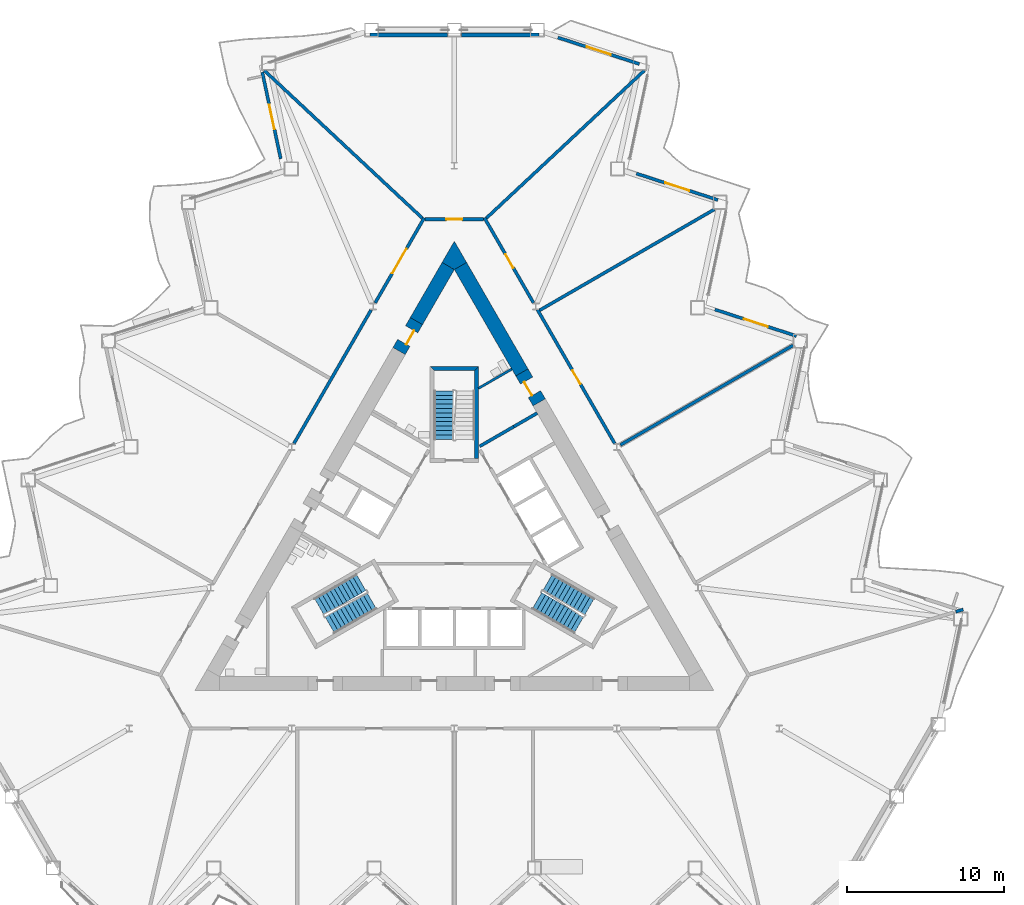
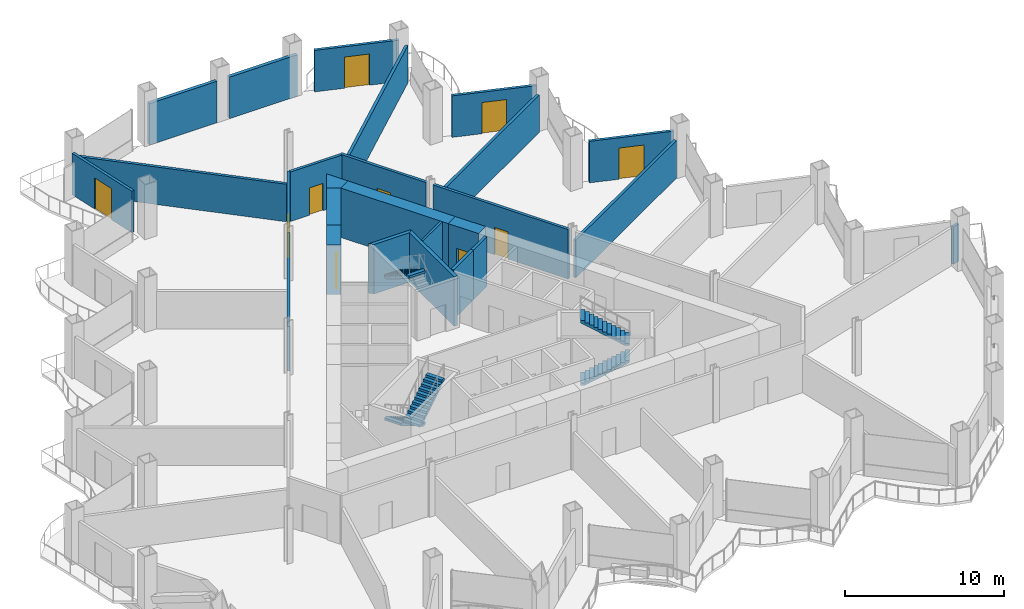
# One storey, part 13 of 21: 26 walls, 10 doors, 5 stair flights, 10 openings, 3 elements without a shape of their own.
"""IFC4 building model written with IfcOpenShell, lengths in metres."""

from ifc_helpers import new_model, si_unit, direction, frame, frame_2d, origin, place, context, subcontext, project, spatial, polyline, rectangle, outline, extrude, material, layer, layer_set, type_object, element, fill, aggregate, save


model = new_model("IFC4")

# Units and contexts
model_context = context("Model", 3, precision=1e-05, world=origin(), true_north=direction((0.0, 1.0)))
body_context = subcontext(model_context, "Body", "Model", "MODEL_VIEW")
ifc_project = project(units=[si_unit("LENGTHUNIT", "METRE"), si_unit("AREAUNIT", "SQUARE_METRE"), si_unit("VOLUMEUNIT", "CUBIC_METRE"), si_unit("PLANEANGLEUNIT", "RADIAN"), si_unit("MASSUNIT", "GRAM", prefix="KILO")], contexts=[model_context])

# Site, building, storey
site_placement = place(None, origin())
site = spatial("IfcSite", under=ifc_project, at=site_placement, CompositionType="ELEMENT")
building_placement = place(site_placement, origin())
building = spatial("IfcBuilding", under=site, at=building_placement, Name="Cormorant Prow Tower", CompositionType="ELEMENT")
storey_placement = place(building_placement, frame((0.0, 0.0, 108.0)))
storey = spatial("IfcBuildingStorey", under=building, at=storey_placement, Name="L22", CompositionType="ELEMENT", Elevation=108.0)

# Walls
ifc_material_1 = material(Name="Gypsum board partition")
ifc_layer_1 = layer(ifc_material_1, 0.14990234375)
ifc_layer_set_1 = layer_set([ifc_layer_1], Name="Gypsum board partition")
wall_type_1 = type_object("IfcWallType", Name="Core partition 150", PredefinedType="PARTITIONING", material=ifc_layer_set_1)
wall_1_placement = place(storey_placement, frame((3.654296875, 10.923095703125, 0.0), z_axis=(0.0, 0.0, 1.0), x_axis=(-0.865974546186, -0.5000880776, 0.0)))
element("IfcWall", 1, at=wall_1_placement, inside=storey, type_object=wall_type_1, Name="Service room partition", PredefinedType="PARTITIONING", context=body_context, shape_type="SweptSolid", body=[
    extrude(rectangle(XDim=2.44677734375, YDim=0.14990234375, at=frame_2d((1.223388671875, 0.0))), origin(), (0.0, 0.0, 1.0), 3.800048828125),
])
ifc_material_2 = material(Name="Concrete 8000 psi", Category="concrete")
ifc_layer_2 = layer(ifc_material_2, 0.89990234375)
ifc_layer_set_2 = layer_set([ifc_layer_2], Name="Concrete 8000 psi")
wall_type_2 = type_object("IfcWallType", Name="Core shear wall 900", PredefinedType="SHEAR", material=ifc_layer_set_2)
wall_2_placement = place(storey_placement, frame((4.2958984375, 10.7119140625, 0.0), z_axis=(0.0, 0.0, 1.0), x_axis=(-0.500011000363, 0.866019052629, 0.0)))
element("IfcWall", 2, at=wall_2_placement, inside=storey, type_object=wall_type_2, Name="Core wall", PredefinedType="SHEAR", context=body_context, shape_type="SweptSolid", body=[
    extrude(rectangle(XDim=7.812255859375, YDim=0.89990234375, at=frame_2d((3.90625, 0.0))), origin(), (0.0, 0.0, 1.0), 3.800048828125),
])
wall_3_placement = place(storey_placement, frame((-0.3896484375, 17.4775390625, 0.0), z_axis=(0.0, 0.0, 1.0), x_axis=(-0.500046330384, -0.865998653272, 0.0)))
element("IfcWall", 3, at=wall_3_placement, inside=storey, type_object=wall_type_2, Name="Core wall", PredefinedType="SHEAR", context=body_context, shape_type="SweptSolid", body=[
    extrude(rectangle(XDim=4.04541015625, YDim=0.89990234375, at=frame_2d((2.022705078125, 0.0))), origin(), (0.0, 0.0, 1.0), 3.800048828125),
])
wall_4_placement = place(storey_placement, origin())
element("IfcWall", 4, at=wall_4_placement, inside=storey, type_object=wall_type_2, Name="Core wall corner", PredefinedType="SHEAR", context=body_context, shape_type="SweptSolid", body=[
    extrude(outline(polyline([(-0.779296875, 17.70263671875), (0.0, 19.052490234375), (0.779296875, 17.70263671875), (0.0, 17.252685546875), (-0.779296875, 17.70263671875)])), origin(), (0.0, 0.0, 1.0), 3.800048828125),
])

# Wall, opening, door
wall_5_placement = place(storey_placement, frame((5.39599609375, 8.806396484375, 0.0), z_axis=(0.0, 0.0, 1.0), x_axis=(-0.499981787252, 0.866035918664, 0.0)))
wall_5 = element("IfcWall", 5, at=wall_5_placement, inside=storey, type_object=wall_type_2, Name="Core wall door panel", PredefinedType="SHEAR", context=body_context, shape_type="SweptSolid", body=[
    extrude(rectangle(XDim=2.2001953125, YDim=0.89990234375, at=frame_2d((1.10009765625, 0.0))), origin(), (0.0, 0.0, 1.0), 3.800048828125),
])
opening_1_placement = place(wall_5_placement, frame((0.60009765625, 0.0, 0.0)))
opening_1 = element("IfcOpeningElement", 6, at=opening_1_placement, cuts=wall_5, Name="Opening L22-C22", PredefinedType="OPENING", context=body_context, shape_type="SweptSolid", body=[
    extrude(rectangle(XDim=1.0, YDim=2.10009765625, at=frame_2d((0.5, 1.050048828125))), frame((0.0, 0.4599609375, 0.0), z_axis=(0.0, -1.0, 0.0), x_axis=(1.0, 0.0, 0.0)), (0.0, 0.0, 1.0), 0.919921875),
])
ifc_material_3 = material(Name="Painted steel", Category="steel")
door_type_1 = type_object("IfcDoorType", Name="Service door 1000x2100", OperationType="NOTDEFINED", PredefinedType="DOOR", material=ifc_material_3)
door_1_placement = place(opening_1_placement, origin())
door_1 = element("IfcDoor", 7, at=door_1_placement, inside=storey, type_object=door_type_1, Name="Core door, Mechanical riser room", OperationType="SINGLE_SWING_LEFT", OverallHeight=2.10009765625, OverallWidth=1.0, PredefinedType="DOOR", context=body_context, shape_type="SweptSolid", body=[
    extrude(rectangle(XDim=1.0, YDim=2.10009765625, at=frame_2d((0.5, 1.050048828125))), frame((0.0, 0.205078125, 0.0), z_axis=(0.0, -1.0, 0.0), x_axis=(1.0, 0.0, 0.0)), (0.0, 0.0, 1.0), 0.050048828125),
])
fill(opening_1, door_1)

wall_6_placement = place(storey_placement, frame((-2.41259765625, 13.97412109375, 0.0), z_axis=(0.0, 0.0, 1.0), x_axis=(-0.499946605688, -0.86605622881, 0.0)))
wall_6 = element("IfcWall", 8, at=wall_6_placement, inside=storey, type_object=wall_type_2, Name="Core wall door panel", PredefinedType="SHEAR", context=body_context, shape_type="SweptSolid", body=[
    extrude(rectangle(XDim=2.199951171875, YDim=0.89990234375, at=frame_2d((1.10009765625, 0.0))), origin(), (0.0, 0.0, 1.0), 3.800048828125),
])
opening_2_placement = place(wall_6_placement, frame((0.60009765625, 0.0, 0.0)))
opening_2 = element("IfcOpeningElement", 9, at=opening_2_placement, cuts=wall_6, Name="Opening L22-C23", PredefinedType="OPENING", context=body_context, shape_type="SweptSolid", body=[
    extrude(rectangle(XDim=1.0, YDim=2.10009765625, at=frame_2d((0.5, 1.050048828125))), frame((0.0, 0.4599609375, 0.0), z_axis=(0.0, -1.0, 0.0), x_axis=(1.0, 0.0, 0.0)), (0.0, 0.0, 1.0), 0.919921875),
])
door_2_placement = place(opening_2_placement, origin())
door_2 = element("IfcDoor", 10, at=door_2_placement, inside=storey, type_object=door_type_1, Name="Core door, Toilets (men) L22", OperationType="SINGLE_SWING_LEFT", OverallHeight=2.10009765625, OverallWidth=1.0, PredefinedType="DOOR", context=body_context, shape_type="SweptSolid", body=[
    extrude(rectangle(XDim=1.0, YDim=2.10009765625, at=frame_2d((0.5, 1.050048828125))), frame((0.0, 0.205078125, 0.0), z_axis=(0.0, -1.0, 0.0), x_axis=(1.0, 0.0, 0.0)), (0.0, 0.0, 1.0), 0.050048828125),
])
fill(opening_2, door_2)

# Wall
ifc_material_4 = material(Name="Gypsum board corridor wall")
ifc_layer_3 = layer(ifc_material_4, 0.199951171875)
ifc_layer_set_3 = layer_set([ifc_layer_3], Name="Gypsum board corridor wall")
wall_type_3 = type_object("IfcWallType", Name="Corridor wall 200", PredefinedType="PARTITIONING", material=ifc_layer_set_3)
wall_7_placement = place(storey_placement, frame((-10.197265625, 6.1904296875, 0.0), z_axis=(0.0, 0.0, 1.0), x_axis=(0.500012035596, 0.866018454918, 0.0)))
element("IfcWall", 11, at=wall_7_placement, inside=storey, type_object=wall_type_3, Name="Corridor wall", PredefinedType="PARTITIONING", context=body_context, shape_type="SweptSolid", body=[
    extrude(rectangle(XDim=9.803466796875, YDim=0.199951171875, at=frame_2d((4.90185546875, 0.0))), origin(), (0.0, 0.0, 1.0), 3.800048828125),
])

# Wall, opening, door
wall_8_placement = place(storey_placement, frame((5.28076171875, 14.7060546875, 0.0), z_axis=(0.0, 0.0, 1.0), x_axis=(0.500000421045, -0.866025160694, 0.0)))
wall_8 = element("IfcWall", 12, at=wall_8_placement, inside=storey, type_object=wall_type_3, Name="Corridor wall", PredefinedType="PARTITIONING", context=body_context, shape_type="SweptSolid", body=[
    extrude(rectangle(XDim=9.8330078125, YDim=0.199951171875, at=frame_2d((4.91650390625, 0.0))), origin(), (0.0, 0.0, 1.0), 3.800048828125),
])
opening_3_placement = place(wall_8_placement, frame((4.466552734375, 0.0, 0.0)))
opening_3 = element("IfcOpeningElement", 13, at=opening_3_placement, cuts=wall_8, Name="Opening L22-F09", PredefinedType="OPENING", context=body_context, shape_type="SweptSolid", body=[
    extrude(rectangle(XDim=1.0, YDim=2.10009765625, at=frame_2d((0.5, 1.050048828125))), frame((0.0, 0.10986328125, 0.0), z_axis=(0.0, -1.0, 0.0), x_axis=(1.0, 0.0, 0.0)), (0.0, 0.0, 1.0), 0.219970703125),
])
ifc_material_5 = material(Name="Timber door leaf", Category="wood")
door_type_2 = type_object("IfcDoorType", Name="Office door 1000x2100", OperationType="NOTDEFINED", PredefinedType="DOOR", material=ifc_material_5)
door_3_placement = place(opening_3_placement, origin())
door_3 = element("IfcDoor", 14, at=door_3_placement, inside=storey, type_object=door_type_2, Name="Open-plan office door", OperationType="SINGLE_SWING_LEFT", OverallHeight=2.10009765625, OverallWidth=1.0, PredefinedType="DOOR", context=body_context, shape_type="SweptSolid", body=[
    extrude(rectangle(XDim=1.0, YDim=2.10009765625, at=frame_2d((0.5, 1.050048828125))), frame((0.0, 0.02490234375, 0.0), z_axis=(0.0, -1.0, 0.0), x_axis=(1.0, 0.0, 0.0)), (0.0, 0.0, 1.0), 0.050048828125),
])
fill(opening_3, door_3)

wall_9_placement = place(storey_placement, frame((-5.032958984375, 15.13525390625, 0.0), z_axis=(0.0, 0.0, 1.0), x_axis=(0.499980978912, 0.866036385336, 0.0)))
wall_9 = element("IfcWall", 15, at=wall_9_placement, inside=storey, type_object=wall_type_3, Name="Corridor wall", PredefinedType="PARTITIONING", context=body_context, shape_type="SweptSolid", body=[
    extrude(rectangle(XDim=6.239990234375, YDim=0.199951171875, at=frame_2d((3.1201171875, 0.0))), origin(), (0.0, 0.0, 1.0), 3.800048828125),
])
opening_4_placement = place(wall_9_placement, frame((2.16943359375, 0.0, 0.0)))
opening_4 = element("IfcOpeningElement", 16, at=opening_4_placement, cuts=wall_9, Name="Opening L22-F12", PredefinedType="OPENING", context=body_context, shape_type="SweptSolid", body=[
    extrude(rectangle(XDim=1.800048828125, YDim=2.10009765625, at=frame_2d((0.89990234375, 1.050048828125))), frame((0.0, 0.10986328125, 0.0), z_axis=(0.0, -1.0, 0.0), x_axis=(1.0, 0.0, 0.0)), (0.0, 0.0, 1.0), 0.219970703125),
])
ifc_material_6 = material(Name="Timber door leaf", Category="wood")
door_type_3 = type_object("IfcDoorType", Name="Double door 1800x2100", OperationType="DOUBLE_DOOR_SINGLE_SWING", PredefinedType="DOOR", material=ifc_material_6)
door_4_placement = place(opening_4_placement, origin())
door_4 = element("IfcDoor", 17, at=door_4_placement, inside=storey, type_object=door_type_3, Name="Open-plan office door", OperationType="DOUBLE_DOOR_SINGLE_SWING", OverallHeight=2.10009765625, OverallWidth=1.800048828125, PredefinedType="DOOR", context=body_context, shape_type="SweptSolid", body=[
    extrude(rectangle(XDim=1.800048828125, YDim=2.10009765625, at=frame_2d((0.89990234375, 1.050048828125))), frame((0.0, 0.02490234375, 0.0), z_axis=(0.0, -1.0, 0.0), x_axis=(1.0, 0.0, 0.0)), (0.0, 0.0, 1.0), 0.050048828125),
])
fill(opening_4, door_4)

wall_10_placement = place(storey_placement, frame((1.9130859375, 20.539306640625, 0.0), z_axis=(0.0, 0.0, 1.0), x_axis=(0.499980978912, -0.866036385336, 0.0)))
wall_10 = element("IfcWall", 18, at=wall_10_placement, inside=storey, type_object=wall_type_3, Name="Corridor wall", PredefinedType="PARTITIONING", context=body_context, shape_type="SweptSolid", body=[
    extrude(rectangle(XDim=6.239990234375, YDim=0.199951171875, at=frame_2d((3.1201171875, 0.0))), origin(), (0.0, 0.0, 1.0), 3.800048828125),
])
opening_5_placement = place(wall_10_placement, frame((2.67041015625, 0.0, 0.0)))
opening_5 = element("IfcOpeningElement", 19, at=opening_5_placement, cuts=wall_10, Name="Opening L22-F10", PredefinedType="OPENING", context=body_context, shape_type="SweptSolid", body=[
    extrude(rectangle(XDim=1.0, YDim=2.10009765625, at=frame_2d((0.5, 1.050048828125))), frame((0.0, 0.10986328125, 0.0), z_axis=(0.0, -1.0, 0.0), x_axis=(1.0, 0.0, 0.0)), (0.0, 0.0, 1.0), 0.219970703125),
])
door_5_placement = place(opening_5_placement, origin())
door_5 = element("IfcDoor", 20, at=door_5_placement, inside=storey, type_object=door_type_2, Name="Tenant suite door", OperationType="SINGLE_SWING_LEFT", OverallHeight=2.10009765625, OverallWidth=1.0, PredefinedType="DOOR", context=body_context, shape_type="SweptSolid", body=[
    extrude(rectangle(XDim=1.0, YDim=2.10009765625, at=frame_2d((0.5, 1.050048828125))), frame((0.0, 0.02490234375, 0.0), z_axis=(0.0, -1.0, 0.0), x_axis=(1.0, 0.0, 0.0)), (0.0, 0.0, 1.0), 0.050048828125),
])
fill(opening_5, door_5)

wall_11_placement = place(storey_placement, frame((-1.863037109375, 20.45263671875, 0.0), z_axis=(0.0, 0.0, 1.0), x_axis=(1.0, 0.0, 0.0)))
wall_11 = element("IfcWall", 21, at=wall_11_placement, inside=storey, type_object=wall_type_3, Name="Corridor wall", PredefinedType="PARTITIONING", context=body_context, shape_type="SweptSolid", body=[
    extrude(rectangle(XDim=3.72607421875, YDim=0.199951171875, at=frame_2d((1.863037109375, 0.0))), origin(), (0.0, 0.0, 1.0), 3.800048828125),
])
opening_6_placement = place(wall_11_placement, frame((1.363037109375, 0.0, 0.0)))
opening_6 = element("IfcOpeningElement", 22, at=opening_6_placement, cuts=wall_11, Name="Opening L22-F11", PredefinedType="OPENING", context=body_context, shape_type="SweptSolid", body=[
    extrude(rectangle(XDim=1.0, YDim=2.10009765625, at=frame_2d((0.5, 1.050048828125))), frame((0.0, 0.10986328125, 0.0), z_axis=(0.0, -1.0, 0.0), x_axis=(1.0, 0.0, 0.0)), (0.0, 0.0, 1.0), 0.219970703125),
])
door_6_placement = place(opening_6_placement, origin())
door_6 = element("IfcDoor", 23, at=door_6_placement, inside=storey, type_object=door_type_2, Name="Tenant suite door", OperationType="SINGLE_SWING_LEFT", OverallHeight=2.10009765625, OverallWidth=1.0, PredefinedType="DOOR", context=body_context, shape_type="SweptSolid", body=[
    extrude(rectangle(XDim=1.0, YDim=2.10009765625, at=frame_2d((0.5, 1.050048828125))), frame((0.0, 0.02490234375, 0.0), z_axis=(0.0, -1.0, 0.0), x_axis=(1.0, 0.0, 0.0)), (0.0, 0.0, 1.0), 0.050048828125),
])
fill(opening_6, door_6)

# Walls
ifc_material_7 = material(Name="Gypsum board demising wall")
ifc_layer_4 = layer(ifc_material_7, 0.199951171875)
ifc_layer_set_4 = layer_set([ifc_layer_4], Name="Gypsum board demising wall")
wall_type_4 = type_object("IfcWallType", Name="Demising wall 200", PredefinedType="PARTITIONING", material=ifc_layer_set_4)
for number, where, z_axis, x_axis, name in (
    (24, (2.0361328125, 20.520751953125, 0.0), (0.0, 0.0, 1.0), (0.730716801277, 0.682680713315, 0.0), "Demising wall"),
    (25, (-12.08203125, 29.90625, 0.0), (0.0, 0.0, 1.0), (0.730716801277, -0.682680713315, 0.0), "Demising wall"),
):
    element("IfcWall", number, at=place(storey_placement, frame(where, z_axis=z_axis, x_axis=x_axis)), inside=storey, type_object=wall_type_4, Name=name, PredefinedType="PARTITIONING", context=body_context, shape_type="SweptSolid", body=[
        extrude(rectangle(XDim=13.748046875, YDim=0.199951171875, at=frame_2d((6.8740234375, 0.0))), origin(), (0.0, 0.0, 1.0), 2.88525390625),
    ])
wall_12_placement = place(storey_placement, frame((5.42236328125, 14.66064453125, 0.0), z_axis=(0.0, 0.0, 1.0), x_axis=(0.866023907196, 0.500002592159, 0.0)))
element("IfcWall", 26, at=wall_12_placement, inside=storey, type_object=wall_type_4, Name="Demising wall", PredefinedType="PARTITIONING", context=body_context, shape_type="SweptSolid", body=[
    extrude(rectangle(XDim=12.82470703125, YDim=0.199951171875, at=frame_2d((6.412353515625, 0.0))), origin(), (0.0, 0.0, 1.0), 2.88525390625),
])
wall_13_placement = place(storey_placement, frame((10.555908203125, 6.094482421875, 0.0), z_axis=(0.0, 0.0, 1.0), x_axis=(0.86602461759, 0.500001361726, 0.0)))
element("IfcWall", 27, at=wall_13_placement, inside=storey, type_object=wall_type_4, Name="Demising wall", PredefinedType="PARTITIONING", context=body_context, shape_type="SweptSolid", body=[
    extrude(rectangle(XDim=12.67919921875, YDim=0.199951171875, at=frame_2d((6.339599609375, 0.0))), origin(), (0.0, 0.0, 1.0), 2.88525390625),
])
wall_14_placement = place(storey_placement, frame((31.883544921875, -4.507080078125, 0.0), z_axis=(0.0, 0.0, 1.0), x_axis=(0.956697940105, 0.291082550832, 0.0)))
element("IfcWall", 28, at=wall_14_placement, inside=storey, type_object=wall_type_4, Name="Demising wall", PredefinedType="PARTITIONING", context=body_context, shape_type="SweptSolid", body=[
    extrude(rectangle(XDim=0.491455078125, YDim=0.199951171875, at=frame_2d((0.24560546875, 0.0))), origin(), (0.0, 0.0, 1.0), 2.88525390625),
])
ifc_material_8 = material(Name="Concrete 8000 psi", Category="concrete")
ifc_layer_5 = layer(ifc_material_8, 0.199951171875)
ifc_layer_set_5 = layer_set([ifc_layer_5], Name="Concrete 8000 psi")
wall_type_5 = type_object("IfcWallType", Name="Lift shaft wall 200", PredefinedType="SHEAR", material=ifc_layer_set_5)
wall_15_placement = place(storey_placement, origin())
element("IfcWall", 29, at=wall_15_placement, inside=storey, type_object=wall_type_5, Name="Lift shaft walls, ENE block", PredefinedType="SHEAR", context=body_context, shape_type="SweptSolid", body=[
    extrude(outline(polyline([(1.560546875, 6.09716796875), (3.730712890625, 7.35009765625), (3.830810546875, 7.177001953125), (1.660400390625, 5.923828125), (1.560546875, 6.09716796875)])), origin(), (0.0, 0.0, 1.0), 3.800048828125),
])
wall_16_placement = place(storey_placement, frame((3.78076171875, 7.263427734375, 0.0), z_axis=(0.0, 0.0, 1.0), x_axis=(0.865963414263, 0.500107353632, 0.0)))
element("IfcWall", 30, at=wall_16_placement, inside=storey, type_object=wall_type_5, Name="Store side wall", PredefinedType="SHEAR", context=body_context, shape_type="SweptSolid", body=[
    extrude(rectangle(XDim=1.72021484375, YDim=0.199951171875, at=frame_2d((0.860107421875, 0.0))), origin(), (0.0, 0.0, 1.0), 3.800048828125),
])
ifc_material_9 = material(Name="Concrete 8000 psi", Category="concrete")
ifc_layer_6 = layer(ifc_material_9, 0.25)
ifc_layer_set_6 = layer_set([ifc_layer_6], Name="Concrete 8000 psi")
wall_type_6 = type_object("IfcWallType", Name="Stair wall 250", PredefinedType="SHEAR", material=ifc_layer_set_6)
wall_17_placement = place(storey_placement, origin())
element("IfcWall", 31, at=wall_17_placement, inside=storey, type_object=wall_type_6, Name="Stair ST3 enclosure wall (flank)", PredefinedType="SHEAR", context=body_context, shape_type="SweptSolid", body=[
    extrude(outline(polyline([(1.5439453125, 5.23681640625), (1.5439453125, 11.0869140625), (1.2939453125, 10.8369140625), (1.2939453125, 5.23681640625), (1.5439453125, 5.23681640625)])), origin(), (0.0, 0.0, 1.0), 3.800048828125),
])
wall_18_placement = place(storey_placement, origin())
element("IfcWall", 32, at=wall_18_placement, inside=storey, type_object=wall_type_6, Name="Stair ST3 enclosure wall (end)", PredefinedType="SHEAR", context=body_context, shape_type="SweptSolid", body=[
    extrude(outline(polyline([(1.5439453125, 11.0869140625), (-1.5439453125, 11.0869140625), (-1.2939453125, 10.8369140625), (1.2939453125, 10.8369140625), (1.5439453125, 11.0869140625)])), origin(), (0.0, 0.0, 1.0), 3.800048828125),
])
ifc_material_10 = material(Name="Terracotta", Category="masonry")
ifc_layer_7 = layer(ifc_material_10, 0.25)
ifc_layer_set_7 = layer_set([ifc_layer_7], Name="Terracotta")
wall_type_7 = type_object("IfcWallType", Name="Terracotta bay wall 250", PredefinedType="SOLIDWALL", material=ifc_layer_set_7)
for number, where, z_axis, x_axis, name in (
    (33, (5.376220703125, 32.17138671875, 0.0), (0.0, 0.0, 1.0), (-1.0, 0.0, 0.0), "Terracotta bay wall N00"),
    (34, (-0.449951171875, 32.17138671875, 0.0), (0.0, 0.0, 1.0), (-1.0, 0.0, 0.0), "Terracotta bay wall N01"),
):
    element("IfcWall", number, at=place(storey_placement, frame(where, z_axis=z_axis, x_axis=x_axis)), inside=storey, type_object=wall_type_7, Name=name, PredefinedType="SOLIDWALL", context=body_context, shape_type="SweptSolid", body=[
        extrude(rectangle(XDim=4.92626953125, YDim=0.25, at=frame_2d((2.463134765625, 0.0))), origin(), (0.0, 0.0, 1.0), 3.18896484375),
    ])

# Wall, opening, door
ifc_material_11 = material(Name="Terracotta", Category="masonry")
ifc_layer_8 = layer(ifc_material_11, 0.199951171875)
ifc_layer_set_8 = layer_set([ifc_layer_8], Name="Terracotta")
wall_type_8 = type_object("IfcWallType", Name="Terracotta jamb wall 200", PredefinedType="SOLIDWALL", material=ifc_layer_set_8)
wall_19_placement = place(storey_placement, frame((21.751220703125, 13.026611328125, 0.0), z_axis=(0.0, 0.0, 1.0), x_axis=(-0.951049879841, 0.309037418534, 0.0)))
wall_19 = element("IfcWall", 35, at=wall_19_placement, inside=storey, type_object=wall_type_8, Name="Terracotta jamb wall ENE05", PredefinedType="SOLIDWALL", context=body_context, shape_type="SweptSolid", body=[
    extrude(rectangle(XDim=5.4462890625, YDim=0.199951171875, at=frame_2d((2.72314453125, 0.0))), origin(), (0.0, 0.0, 1.0), 3.18896484375),
])
opening_7_placement = place(wall_19_placement, frame((1.923095703125, 0.0, 0.0)))
opening_7 = element("IfcOpeningElement", 36, at=opening_7_placement, cuts=wall_19, Name="Opening ED22.08", PredefinedType="OPENING", context=body_context, shape_type="SweptSolid", body=[
    extrude(rectangle(XDim=1.60009765625, YDim=2.39990234375, at=frame_2d((0.800048828125, 1.199951171875))), frame((0.0, 0.10986328125, 0.0), z_axis=(0.0, -1.0, 0.0), x_axis=(1.0, 0.0, 0.0)), (0.0, 0.0, 1.0), 0.219970703125),
])
ifc_material_12 = material(Name="Aluminium 6063-T6", Category="aluminium")
door_type_4 = type_object("IfcDoorType", Name="Balcony door 1600x2400", OperationType="DOUBLE_DOOR_SINGLE_SWING", PredefinedType="DOOR", material=ifc_material_12)
door_7_placement = place(opening_7_placement, origin())
door_7 = element("IfcDoor", 37, at=door_7_placement, inside=storey, type_object=door_type_4, Name="Balcony door ENE05 ED22.08", OperationType="DOUBLE_DOOR_SINGLE_SWING", OverallHeight=2.39990234375, OverallWidth=1.60009765625, PredefinedType="DOOR", context=body_context, shape_type="SweptSolid", body=[
    extrude(rectangle(XDim=1.60009765625, YDim=2.39990234375, at=frame_2d((0.800048828125, 1.199951171875))), frame((0.0, 0.02490234375, 0.0), z_axis=(0.0, -1.0, 0.0), x_axis=(1.0, 0.0, 0.0)), (0.0, 0.0, 1.0), 0.050048828125),
])
fill(opening_7, door_7)

wall_20_placement = place(storey_placement, frame((16.758544921875, 21.674072265625, 0.0), z_axis=(0.0, 0.0, 1.0), x_axis=(-0.951049879841, 0.309037418534, 0.0)))
wall_20 = element("IfcWall", 38, at=wall_20_placement, inside=storey, type_object=wall_type_8, Name="Terracotta jamb wall ENE07", PredefinedType="SOLIDWALL", context=body_context, shape_type="SweptSolid", body=[
    extrude(rectangle(XDim=5.4462890625, YDim=0.199951171875, at=frame_2d((2.72314453125, 0.0))), origin(), (0.0, 0.0, 1.0), 3.18896484375),
])
opening_8_placement = place(wall_20_placement, frame((1.923095703125, 0.0, 0.0)))
opening_8 = element("IfcOpeningElement", 39, at=opening_8_placement, cuts=wall_20, Name="Opening ED22.09", PredefinedType="OPENING", context=body_context, shape_type="SweptSolid", body=[
    extrude(rectangle(XDim=1.60009765625, YDim=2.39990234375, at=frame_2d((0.800048828125, 1.199951171875))), frame((0.0, 0.10986328125, 0.0), z_axis=(0.0, -1.0, 0.0), x_axis=(1.0, 0.0, 0.0)), (0.0, 0.0, 1.0), 0.219970703125),
])
door_8_placement = place(opening_8_placement, origin())
door_8 = element("IfcDoor", 40, at=door_8_placement, inside=storey, type_object=door_type_4, Name="Balcony door ENE07 ED22.09", OperationType="DOUBLE_DOOR_SINGLE_SWING", OverallHeight=2.39990234375, OverallWidth=1.60009765625, PredefinedType="DOOR", context=body_context, shape_type="SweptSolid", body=[
    extrude(rectangle(XDim=1.60009765625, YDim=2.39990234375, at=frame_2d((0.800048828125, 1.199951171875))), frame((0.0, 0.02490234375, 0.0), z_axis=(0.0, -1.0, 0.0), x_axis=(1.0, 0.0, 0.0)), (0.0, 0.0, 1.0), 0.050048828125),
])
fill(opening_8, door_8)

wall_21_placement = place(storey_placement, frame((11.765869140625, 30.32177734375, 0.0), z_axis=(0.0, 0.0, 1.0), x_axis=(-0.951049879841, 0.309037418534, 0.0)))
wall_21 = element("IfcWall", 41, at=wall_21_placement, inside=storey, type_object=wall_type_8, Name="Terracotta jamb wall ENE09", PredefinedType="SOLIDWALL", context=body_context, shape_type="SweptSolid", body=[
    extrude(rectangle(XDim=5.4462890625, YDim=0.199951171875, at=frame_2d((2.72314453125, 0.0))), origin(), (0.0, 0.0, 1.0), 3.18896484375),
])
opening_9_placement = place(wall_21_placement, frame((1.923095703125, 0.0, 0.0)))
opening_9 = element("IfcOpeningElement", 42, at=opening_9_placement, cuts=wall_21, Name="Opening ED22.10", PredefinedType="OPENING", context=body_context, shape_type="SweptSolid", body=[
    extrude(rectangle(XDim=1.60009765625, YDim=2.39990234375, at=frame_2d((0.800048828125, 1.199951171875))), frame((0.0, 0.10986328125, 0.0), z_axis=(0.0, -1.0, 0.0), x_axis=(1.0, 0.0, 0.0)), (0.0, 0.0, 1.0), 0.219970703125),
])
door_9_placement = place(opening_9_placement, origin())
door_9 = element("IfcDoor", 43, at=door_9_placement, inside=storey, type_object=door_type_4, Name="Balcony door ENE09 ED22.10", OperationType="DOUBLE_DOOR_SINGLE_SWING", OverallHeight=2.39990234375, OverallWidth=1.60009765625, PredefinedType="DOOR", context=body_context, shape_type="SweptSolid", body=[
    extrude(rectangle(XDim=1.60009765625, YDim=2.39990234375, at=frame_2d((0.800048828125, 1.199951171875))), frame((0.0, 0.02490234375, 0.0), z_axis=(0.0, -1.0, 0.0), x_axis=(1.0, 0.0, 0.0)), (0.0, 0.0, 1.0), 0.050048828125),
])
fill(opening_9, door_9)

wall_22_placement = place(storey_placement, frame((-12.2099609375, 29.799072265625, 0.0), z_axis=(0.0, 0.0, 1.0), x_axis=(0.207917875772, -0.978146286061, 0.0)))
wall_22 = element("IfcWall", 44, at=wall_22_placement, inside=storey, type_object=wall_type_8, Name="Terracotta jamb wall WNW01", PredefinedType="SOLIDWALL", context=body_context, shape_type="SweptSolid", body=[
    extrude(rectangle(XDim=5.63037109375, YDim=0.199951171875, at=frame_2d((2.815185546875, 0.0))), origin(), (0.0, 0.0, 1.0), 3.18896484375),
])
opening_10_placement = place(wall_22_placement, frame((2.107421875, 0.0, 0.0)))
opening_10 = element("IfcOpeningElement", 45, at=opening_10_placement, cuts=wall_22, Name="Opening ED22.11", PredefinedType="OPENING", context=body_context, shape_type="SweptSolid", body=[
    extrude(rectangle(XDim=1.60009765625, YDim=2.39990234375, at=frame_2d((0.800048828125, 1.199951171875))), frame((0.0, 0.10986328125, 0.0), z_axis=(0.0, -1.0, 0.0), x_axis=(1.0, 0.0, 0.0)), (0.0, 0.0, 1.0), 0.219970703125),
])
door_10_placement = place(opening_10_placement, origin())
door_10 = element("IfcDoor", 46, at=door_10_placement, inside=storey, type_object=door_type_4, Name="Balcony door WNW01 ED22.11", OperationType="DOUBLE_DOOR_SINGLE_SWING", OverallHeight=2.39990234375, OverallWidth=1.60009765625, PredefinedType="DOOR", context=body_context, shape_type="SweptSolid", body=[
    extrude(rectangle(XDim=1.60009765625, YDim=2.39990234375, at=frame_2d((0.800048828125, 1.199951171875))), frame((0.0, 0.02490234375, 0.0), z_axis=(0.0, -1.0, 0.0), x_axis=(1.0, 0.0, 0.0)), (0.0, 0.0, 1.0), 0.050048828125),
])
fill(opening_10, door_10)

# Stair, stair flights
ifc_material_13 = material(Name="Exit stair 24 risers")
stair_type = type_object("IfcStairType", Name="Exit stair 24 risers", PredefinedType="HALF_TURN_STAIR", material=ifc_material_13)
stair_1_placement = place(storey_placement, origin())
stair_1 = element("IfcStair", 47, at=stair_1_placement, inside=storey, type_object=stair_type, Name="L22 Exit stair ST1", PredefinedType="HALF_TURN_STAIR")
ifc_material_14 = material(Name="Concrete 5000 psi", Category="concrete")
stair_flight_type = type_object("IfcStairFlightType", Name="Stair flight 1219", PredefinedType="STRAIGHT", material=ifc_material_14)
stair_flight_1_placement = place(storey_placement, frame((-5.93310546875, -2.635009765625, 0.0), z_axis=(0.0, 0.0, 1.0), x_axis=(-0.866025403784, -0.5, 0.0)))
stair_flight_1 = element("IfcStairFlight", 48, at=stair_flight_1_placement, type_object=stair_flight_type, Name="ST1 flight 1", NumberOfRisers=12, NumberOfTreads=11, PredefinedType="STRAIGHT", RiserHeight=0.175, TreadLength=0.28, context=body_context, shape_type="SweptSolid", body=[
    extrude(outline(polyline([(0.0, 0.0), (0.0, 0.175048828125), (0.280029296875, 0.175048828125), (0.280029296875, 0.35009765625), (0.56005859375, 0.35009765625), (0.56005859375, 0.52490234375), (0.840087890625, 0.52490234375), (0.840087890625, 0.699951171875), (1.1201171875, 0.699951171875), (1.1201171875, 0.875), (1.39990234375, 0.875), (1.39990234375, 1.050048828125), (1.679931640625, 1.050048828125), (1.679931640625, 1.22509765625), (1.9599609375, 1.22509765625), (1.9599609375, 1.39990234375), (2.239990234375, 1.39990234375), (2.239990234375, 1.574951171875), (2.52001953125, 1.574951171875), (2.52001953125, 1.75), (2.800048828125, 1.75), (2.800048828125, 1.925048828125), (3.080078125, 1.925048828125), (3.080078125, 2.10009765625), (3.080078125, 1.748291015625), (0.28271484375, 0.0), (0.0, 0.0)])), frame((0.0, 0.609375, 0.0), z_axis=(0.0, -1.0, 0.0), x_axis=(1.0, 0.0, 0.0)), (0.0, 0.0, 1.0), 1.218994140625),
])
stair_flight_2_placement = place(storey_placement, frame((-7.916015625, -5.360595703125, 2.10009765625), z_axis=(0.0, 0.0, 1.0), x_axis=(0.866025403784, 0.5, 0.0)))
stair_flight_2 = element("IfcStairFlight", 49, at=stair_flight_2_placement, type_object=stair_flight_type, Name="ST1 flight 2", NumberOfRisers=12, NumberOfTreads=11, PredefinedType="STRAIGHT", RiserHeight=0.175, TreadLength=0.28, context=body_context, shape_type="SweptSolid", body=[
    extrude(outline(polyline([(0.0, 0.0), (0.0, 0.175048828125), (0.280029296875, 0.175048828125), (0.280029296875, 0.35009765625), (0.56005859375, 0.35009765625), (0.56005859375, 0.52490234375), (0.840087890625, 0.52490234375), (0.840087890625, 0.699951171875), (1.1201171875, 0.699951171875), (1.1201171875, 0.875), (1.39990234375, 0.875), (1.39990234375, 1.050048828125), (1.679931640625, 1.050048828125), (1.679931640625, 1.22509765625), (1.9599609375, 1.22509765625), (1.9599609375, 1.39990234375), (2.239990234375, 1.39990234375), (2.239990234375, 1.574951171875), (2.52001953125, 1.574951171875), (2.52001953125, 1.75), (2.800048828125, 1.75), (2.800048828125, 1.925048828125), (3.080078125, 1.925048828125), (3.080078125, 2.10009765625), (3.080078125, 1.748291015625), (0.28271484375, 0.0), (0.0, 0.0)])), frame((0.0, 0.609375, 0.0), z_axis=(0.0, -1.0, 0.0), x_axis=(1.0, 0.0, 0.0)), (0.0, 0.0, 1.0), 1.218994140625),
])
aggregate(stair_1, [stair_flight_1, stair_flight_2])

stair_2_placement = place(storey_placement, origin())
stair_2 = element("IfcStair", 50, at=stair_2_placement, inside=storey, type_object=stair_type, Name="L22 Exit stair ST2", PredefinedType="HALF_TURN_STAIR")
stair_flight_3_placement = place(storey_placement, frame((5.24853515625, -3.82080078125, 0.0), z_axis=(0.0, 0.0, 1.0), x_axis=(0.866025403784, -0.5, 0.0)))
stair_flight_3 = element("IfcStairFlight", 51, at=stair_flight_3_placement, type_object=stair_flight_type, Name="ST2 flight 1", NumberOfRisers=12, NumberOfTreads=11, PredefinedType="STRAIGHT", RiserHeight=0.175, TreadLength=0.28, context=body_context, shape_type="SweptSolid", body=[
    extrude(outline(polyline([(0.0, 0.0), (0.0, 0.175048828125), (0.280029296875, 0.175048828125), (0.280029296875, 0.35009765625), (0.56005859375, 0.35009765625), (0.56005859375, 0.52490234375), (0.840087890625, 0.52490234375), (0.840087890625, 0.699951171875), (1.1201171875, 0.699951171875), (1.1201171875, 0.875), (1.39990234375, 0.875), (1.39990234375, 1.050048828125), (1.679931640625, 1.050048828125), (1.679931640625, 1.22509765625), (1.9599609375, 1.22509765625), (1.9599609375, 1.39990234375), (2.239990234375, 1.39990234375), (2.239990234375, 1.574951171875), (2.52001953125, 1.574951171875), (2.52001953125, 1.75), (2.800048828125, 1.75), (2.800048828125, 1.925048828125), (3.080078125, 1.925048828125), (3.080078125, 2.10009765625), (3.080078125, 1.748291015625), (0.28271484375, 0.0), (0.0, 0.0)])), frame((0.0, 0.609375, 0.0), z_axis=(0.0, -1.0, 0.0), x_axis=(1.0, 0.0, 0.0)), (0.0, 0.0, 1.0), 1.218994140625),
])
stair_flight_4_placement = place(storey_placement, frame((8.6005859375, -4.175048828125, 2.10009765625), z_axis=(0.0, 0.0, 1.0), x_axis=(-0.866025403784, 0.5, 0.0)))
stair_flight_4 = element("IfcStairFlight", 52, at=stair_flight_4_placement, type_object=stair_flight_type, Name="ST2 flight 2", NumberOfRisers=12, NumberOfTreads=11, PredefinedType="STRAIGHT", RiserHeight=0.175, TreadLength=0.28, context=body_context, shape_type="SweptSolid", body=[
    extrude(outline(polyline([(0.0, 0.0), (0.0, 0.175048828125), (0.280029296875, 0.175048828125), (0.280029296875, 0.35009765625), (0.56005859375, 0.35009765625), (0.56005859375, 0.52490234375), (0.840087890625, 0.52490234375), (0.840087890625, 0.699951171875), (1.1201171875, 0.699951171875), (1.1201171875, 0.875), (1.39990234375, 0.875), (1.39990234375, 1.050048828125), (1.679931640625, 1.050048828125), (1.679931640625, 1.22509765625), (1.9599609375, 1.22509765625), (1.9599609375, 1.39990234375), (2.239990234375, 1.39990234375), (2.239990234375, 1.574951171875), (2.52001953125, 1.574951171875), (2.52001953125, 1.75), (2.800048828125, 1.75), (2.800048828125, 1.925048828125), (3.080078125, 1.925048828125), (3.080078125, 2.10009765625), (3.080078125, 1.748291015625), (0.28271484375, 0.0), (0.0, 0.0)])), frame((0.0, 0.609375, 0.0), z_axis=(0.0, -1.0, 0.0), x_axis=(1.0, 0.0, 0.0)), (0.0, 0.0, 1.0), 1.218994140625),
])
aggregate(stair_2, [stair_flight_3, stair_flight_4])

# Stair, stair flight
stair_3_placement = place(storey_placement, origin())
stair_3 = element("IfcStair", 53, at=stair_3_placement, inside=storey, type_object=stair_type, Name="L22 Exit stair ST3", PredefinedType="HALF_TURN_STAIR")
stair_flight_5_placement = place(storey_placement, frame((-0.6845703125, 9.535888671875, 2.10009765625), z_axis=(0.0, 0.0, 1.0), x_axis=(0.0, -1.0, 0.0)))
stair_flight_5 = element("IfcStairFlight", 54, at=stair_flight_5_placement, type_object=stair_flight_type, Name="ST3 flight 2", NumberOfRisers=12, NumberOfTreads=11, PredefinedType="STRAIGHT", RiserHeight=0.175, TreadLength=0.28, context=body_context, shape_type="SweptSolid", body=[
    extrude(outline(polyline([(0.0, 0.0), (0.0, 0.175048828125), (0.280029296875, 0.175048828125), (0.280029296875, 0.35009765625), (0.56005859375, 0.35009765625), (0.56005859375, 0.52490234375), (0.840087890625, 0.52490234375), (0.840087890625, 0.699951171875), (1.1201171875, 0.699951171875), (1.1201171875, 0.875), (1.39990234375, 0.875), (1.39990234375, 1.050048828125), (1.679931640625, 1.050048828125), (1.679931640625, 1.22509765625), (1.9599609375, 1.22509765625), (1.9599609375, 1.39990234375), (2.239990234375, 1.39990234375), (2.239990234375, 1.574951171875), (2.52001953125, 1.574951171875), (2.52001953125, 1.75), (2.800048828125, 1.75), (2.800048828125, 1.925048828125), (3.080078125, 1.925048828125), (3.080078125, 2.10009765625), (3.080078125, 1.748291015625), (0.28271484375, 0.0), (0.0, 0.0)])), frame((0.0, 0.609375, 0.0), z_axis=(0.0, -1.0, 0.0), x_axis=(1.0, 0.0, 0.0)), (0.0, 0.0, 1.0), 1.218994140625),
])
aggregate(stair_3, [stair_flight_5])

save(model, "model.ifc")
